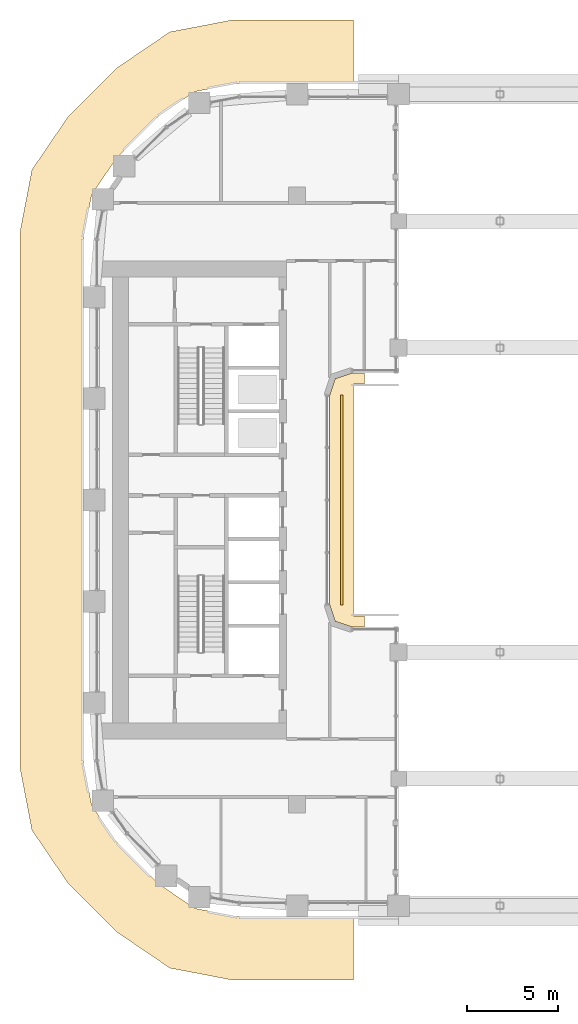
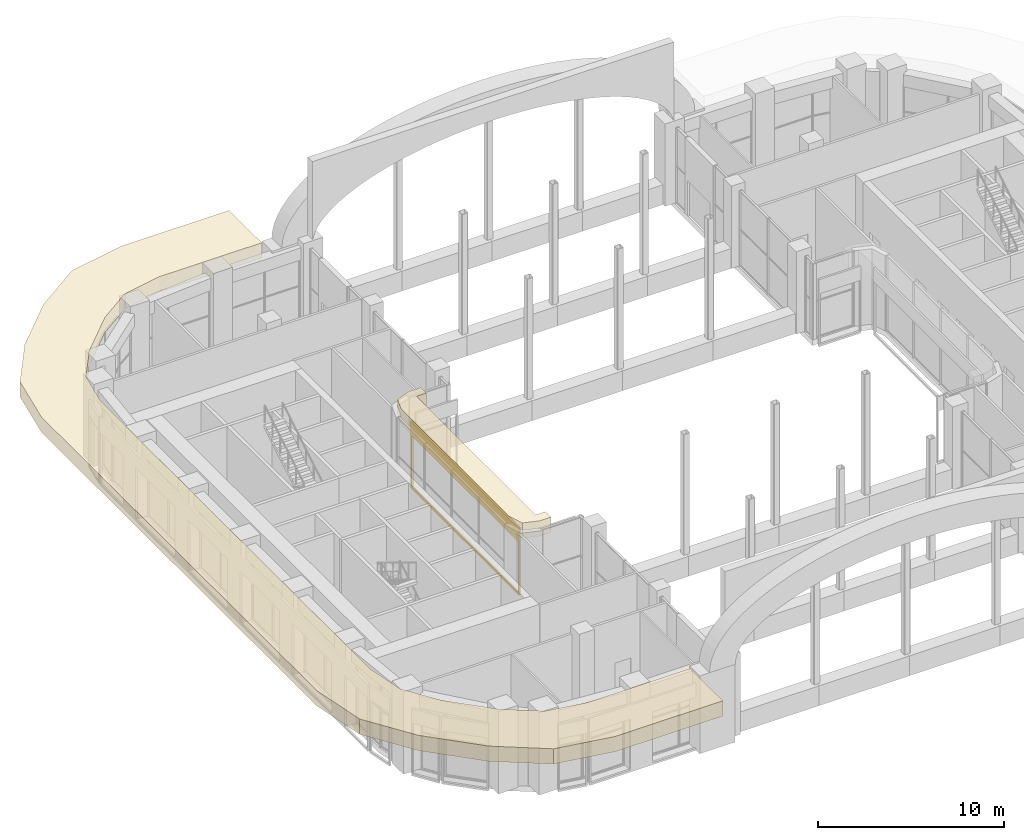
# One storey, part 22 of 28: 3 coverings.
"""IFC4 building model written with IfcOpenShell, lengths in metres."""

from ifc_helpers import new_model, si_unit, direction, frame, origin, place, context, subcontext, project, spatial, polyline, outline, extrude, material, layer, layer_set, type_object, element, save


model = new_model("IFC4")

# Units and contexts
model_context = context("Model", 3, precision=1e-05, world=origin(), true_north=direction((0.0, 1.0)))
body_context = subcontext(model_context, "Body", "Model", "MODEL_VIEW")
ifc_project = project(units=[si_unit("LENGTHUNIT", "METRE"), si_unit("AREAUNIT", "SQUARE_METRE"), si_unit("VOLUMEUNIT", "CUBIC_METRE"), si_unit("PLANEANGLEUNIT", "RADIAN"), si_unit("MASSUNIT", "GRAM", prefix="KILO")], contexts=[model_context])

# Site, building, storey
site_placement = place(None, origin())
site = spatial("IfcSite", under=ifc_project, at=site_placement, CompositionType="ELEMENT")
building_placement = place(site_placement, origin())
building = spatial("IfcBuilding", under=site, at=building_placement, Name="Kiln Ring Residences", CompositionType="ELEMENT")
storey_placement = place(building_placement, frame((0.0, 0.0, 125.300048828125)))
storey = spatial("IfcBuildingStorey", under=building, at=storey_placement, Name="L32", CompositionType="ELEMENT", Elevation=125.300048828125)

# Coverings
ifc_material_1 = material(Name="Brick masonry, dark clay brick", Category="masonry")
ifc_layer_1 = layer(ifc_material_1, 0.1201171875)
ifc_layer_set_1 = layer_set([ifc_layer_1], Name="RAINSCREEN PANEL 120")
covering_type_1 = type_object("IfcCoveringType", Name="RAINSCREEN PANEL 120", PredefinedType="CLADDING", material=ifc_layer_set_1)
covering_1_placement = place(storey_placement, frame((-14.340087890625, -5.800048828125, 0.0), z_axis=(0.0, 0.0, 1.0), x_axis=(0.0, 1.0, 0.0)))
element("IfcCovering", 1, at=covering_1_placement, inside=storey, type_object=covering_type_1, Name="RAINSCREEN L32", PredefinedType="CLADDING", context=body_context, shape_type="SweptSolid", body=[
    extrude(outline(polyline([(0.0, 0.0), (11.60009765625, 0.0), (11.60009765625, 4.39990234375), (0.0, 4.39990234375), (0.0, 0.0)]), holes=[polyline([(0.080078125, 3.469970703125), (0.080078125, 0.1298828125), (11.52001953125, 0.1298828125), (11.52001953125, 3.469970703125), (0.080078125, 3.469970703125)])]), frame((0.0, 0.06005859375, 0.0), z_axis=(0.0, -1.0, 0.0), x_axis=(1.0, 0.0, 0.0)), (0.0, 0.0, 1.0), 0.1201171875),
])
ifc_material_2 = material(Name="Black powder-coated steel", Category="steel")
ifc_layer_2 = layer(ifc_material_2, 1.0)
ifc_layer_set_2 = layer_set([ifc_layer_2], Name="SUNSHADE FIN 3500")
covering_type_2 = type_object("IfcCoveringType", Name="SUNSHADE FIN 3500", PredefinedType="CLADDING", material=ifc_layer_set_2)
placement = place(storey_placement, frame((0.0, 0.0, 4.39990234375)))
element("IfcCovering", 2, at=placement, inside=storey, type_object=covering_type_2, Name="SUNSHADE FIN L32", PredefinedType="CLADDING", context=body_context, shape_type="SweptSolid", body=[
    extrude(outline(polyline([(-31.444091796875, 18.2265625), (-32.10009765625, 14.78759765625), (-32.10009765625, -14.78759765625), (-31.444091796875, -18.2265625), (-29.47607421875, -21.122314453125), (-26.72216796875, -23.876220703125), (-23.82666015625, -25.843994140625), (-20.387451171875, -26.5), (-13.699951171875, -26.5), (-13.699951171875, -23.0), (-20.056640625, -23.0), (-22.458740234375, -22.541748046875), (-24.481201171875, -21.167236328125), (-26.767333984375, -18.881103515625), (-28.141845703125, -16.858642578125), (-28.60009765625, -14.456787109375), (-28.60009765625, 14.456787109375), (-28.141845703125, 16.858642578125), (-26.767333984375, 18.881103515625), (-24.481201171875, 21.167236328125), (-22.458740234375, 22.541748046875), (-20.056640625, 23.0), (-13.699951171875, 23.0), (-13.699951171875, 26.5), (-20.387451171875, 26.5), (-23.82666015625, 25.843994140625), (-26.72216796875, 23.876220703125), (-29.47607421875, 21.122314453125), (-31.444091796875, 18.2265625)])), origin(), (0.0, 0.0, 1.0), 1.0),
])
element("IfcCovering", 3, at=placement, inside=storey, type_object=covering_type_2, Name="SUNSHADE FIN L32", PredefinedType="CLADDING", context=body_context, shape_type="SweptSolid", body=[
    extrude(outline(polyline([(-13.699951171875, -6.39990234375), (-13.699951171875, 6.39990234375), (-13.090087890625, 6.39990234375), (-13.090087890625, 7.0), (-13.800048828125, 7.0), (-14.699951171875, 6.699951171875), (-15.0, 5.800048828125), (-15.0, -5.800048828125), (-14.699951171875, -6.699951171875), (-13.800048828125, -7.0), (-13.090087890625, -7.0), (-13.090087890625, -6.39990234375), (-13.699951171875, -6.39990234375)])), origin(), (0.0, 0.0, 1.0), 1.0),
])

save(model, "model.ifc")
